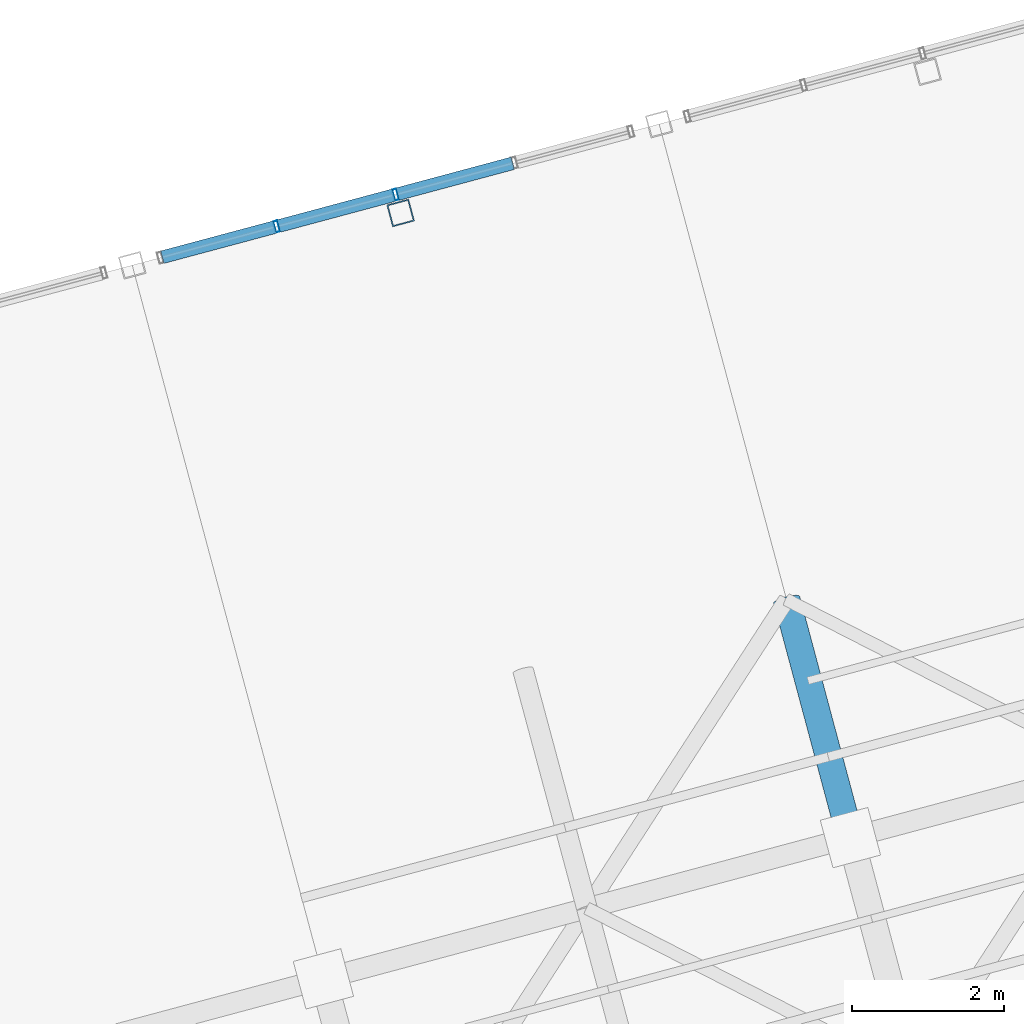
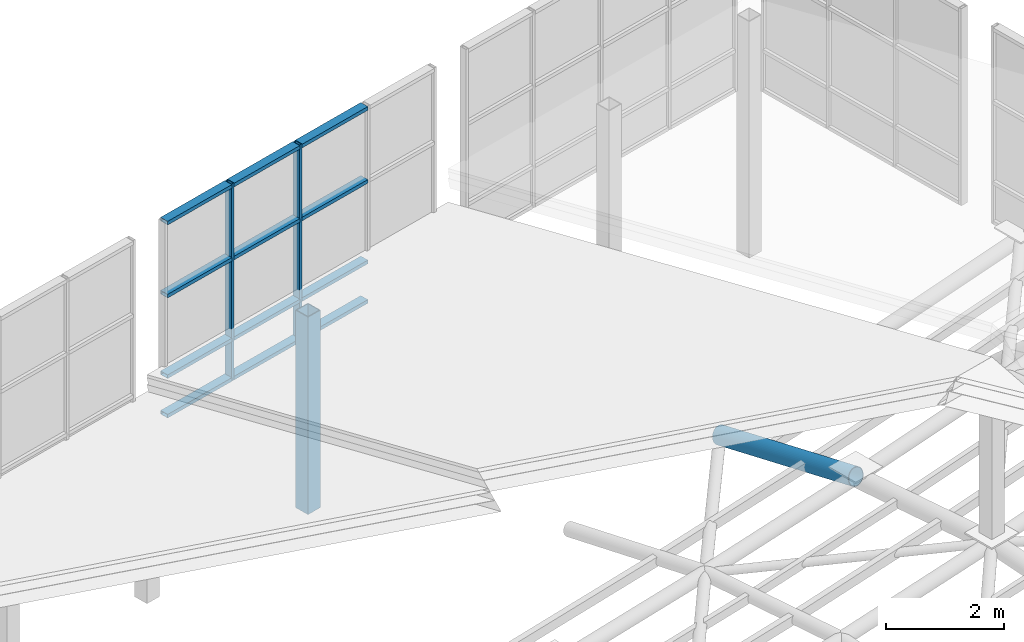
# One storey, part 18 of 28: 16 members, 1 element without a shape of its own.
"""IFC4 building model written with IfcOpenShell, lengths in metres."""

import ifcopenshell
import ifcopenshell.guid

model = None  # the IFC model being written
_history = None  # IfcOwnerHistory: only IFC2X3 demands one
_inside = {}  # id of a spatial element -> (the spatial element, [elements in it])
_under = {}  # id of a project, library or spatial element -> (it, [spatial elements below it])
_declared = {}  # id of a project -> (the project, [libraries it declares])
_typed = {}  # id of a type object -> (the type object, [elements of that type])
_made_of = {}  # id of a material, layer set ... -> (it, [elements and type objects made of it])


def new_model(schema):
    """Start an empty IFC model of exactly this schema.

    Asked for "IFC4X3", IfcOpenShell would pick the latest addendum, in which some entities
    have other attributes; the version numbers below select the first issue.
    IFC2X3 requires an IfcOwnerHistory on every rooted entity: one is made here for all.
    """
    global model, _history
    if schema == "IFC4X3":
        model = ifcopenshell.file(schema_version=(4, 3, 0, 0))
    else:
        model = ifcopenshell.file(schema=schema)
    _inside.clear()
    _under.clear()
    _declared.clear()
    _typed.clear()
    _made_of.clear()
    _history = None
    if model.schema == "IFC2X3":
        org = make("IfcOrganization", Name="unknown")
        user = make(
            "IfcPersonAndOrganization",
            ThePerson=make("IfcPerson", FamilyName="unknown"),
            TheOrganization=org,
        )
        app = make(
            "IfcApplication",
            ApplicationDeveloper=org,
            Version="unknown",
            ApplicationFullName="unknown",
            ApplicationIdentifier="unknown",
        )
        _history = make(
            "IfcOwnerHistory",
            OwningUser=user,
            OwningApplication=app,
            ChangeAction="ADDED",
            CreationDate=0,
        )
    return model


def make(cls, **values):
    """One entity of the class cls with the attributes given. An attribute that is None is left unset."""
    return model.create_entity(
        cls, **{name: value for name, value in values.items() if value is not None}
    )


def rooted(cls, **values):
    """An entity with a GlobalId (a new one), such as an element, a storey or a relation."""
    return make(cls, GlobalId=ifcopenshell.guid.new(), OwnerHistory=_history, **values)


def si_unit(unit_type, name, prefix=None):
    """IfcSIUnit, for example si_unit("LENGTHUNIT", "METRE", prefix="MILLI")."""
    return make("IfcSIUnit", UnitType=unit_type, Prefix=prefix, Name=name)


def assignment(units):
    """IfcUnitAssignment: the units of a project."""
    return None if units is None else make("IfcUnitAssignment", Units=units)


def point(xyz):
    """IfcCartesianPoint."""
    return None if xyz is None else make("IfcCartesianPoint", Coordinates=xyz)


def direction(xyz):
    """IfcDirection."""
    return None if xyz is None else make("IfcDirection", DirectionRatios=xyz)


def frame(location, z_axis=None, x_axis=None):
    """IfcAxis2Placement3D, a coordinate frame: its origin and axes. An axis left out is left unset."""
    return make(
        "IfcAxis2Placement3D",
        Location=point(location),
        Axis=direction(z_axis),
        RefDirection=direction(x_axis),
    )


def frame_2d(location, x_axis=None):
    """IfcAxis2Placement2D, a coordinate frame in the plane: its origin and x axis."""
    return make(
        "IfcAxis2Placement2D", Location=point(location), RefDirection=direction(x_axis)
    )


def origin():
    """The frame at (0, 0, 0) with its axes left unset."""
    return frame((0.0, 0.0, 0.0))


def origin_2d():
    """The frame at (0, 0) in the plane with its x axis left unset."""
    return frame_2d((0.0, 0.0))


def place(relative_to, where):
    """IfcLocalPlacement: puts the frame where relative to a parent placement (None: the world)."""
    return make(
        "IfcLocalPlacement", PlacementRelTo=relative_to, RelativePlacement=where
    )


def context(
    kind, dimensions, precision=None, world=None, true_north=None, identifier=None
):
    """IfcGeometricRepresentationContext, for example the 3D "Model" context."""
    return make(
        "IfcGeometricRepresentationContext",
        ContextIdentifier=identifier,
        ContextType=kind,
        CoordinateSpaceDimension=dimensions,
        Precision=precision,
        WorldCoordinateSystem=world,
        TrueNorth=true_north,
    )


def subcontext(parent, identifier, kind, view, scale=None):
    """IfcGeometricRepresentationSubContext, for example "Body" below "Model"."""
    return make(
        "IfcGeometricRepresentationSubContext",
        ContextIdentifier=identifier,
        ContextType=kind,
        ParentContext=parent,
        TargetScale=scale,
        TargetView=view,
    )


def project(units=None, contexts=None):
    """IfcProject with its units and contexts."""
    return rooted(
        "IfcProject",
        Name="project",
        RepresentationContexts=contexts,
        UnitsInContext=assignment(units),
    )


def spatial(cls, under=None, at=None, **own):
    """A site, building, storey or space (cls), placed at a placement, below another one or the project."""
    s = rooted(cls, ObjectPlacement=at, **own)
    if under is not None:
        _under.setdefault(under.id(), (under, []))[1].append(s)
    return s


def profile(cls, at=None, kind="AREA", **sizes):
    """A parametric profile (cls). Its sizes go by their IFC names, for example OverallWidth=200.0."""
    return make(cls, ProfileType=kind, Position=at, **sizes)


def hollow_rectangle(**sizes):
    """IfcRectangleHollowProfileDef."""
    return profile("IfcRectangleHollowProfileDef", **sizes)


def hollow_circle(**sizes):
    """IfcCircleHollowProfileDef."""
    return profile("IfcCircleHollowProfileDef", **sizes)


def extrude(swept, where, along, depth):
    """IfcExtrudedAreaSolid: the profile swept, set in the frame where, extruded along a direction by depth."""
    return make(
        "IfcExtrudedAreaSolid",
        SweptArea=swept,
        Position=where,
        ExtrudedDirection=direction(along),
        Depth=depth,
    )


def shape(context_of_items, identifier, shape_type, items):
    """IfcShapeRepresentation: the items that make up one representation, for example the "Body"."""
    return make(
        "IfcShapeRepresentation",
        ContextOfItems=context_of_items,
        RepresentationIdentifier=identifier,
        RepresentationType=shape_type,
        Items=items,
    )


def material(Name=None, Category=None):
    """IfcMaterial."""
    return make("IfcMaterial", Name=Name, Category=Category)


def layer(
    of_material, thickness, ventilated=None, Name=None, Category=None, Priority=None
):
    """IfcMaterialLayer: one layer of a wall or slab, of a material (None: an air gap)."""
    return make(
        "IfcMaterialLayer",
        Material=of_material,
        LayerThickness=thickness,
        IsVentilated=ventilated,
        Name=Name,
        Category=Category,
        Priority=Priority,
    )


def layer_set(layers, Name=None):
    """IfcMaterialLayerSet."""
    return make("IfcMaterialLayerSet", MaterialLayers=layers, LayerSetName=Name)


def material_profile(
    of_material, cross_section, Name=None, Category=None, Priority=None
):
    """IfcMaterialProfile: a cross section and its material."""
    return make(
        "IfcMaterialProfile",
        Name=Name,
        Material=of_material,
        Profile=cross_section,
        Priority=Priority,
        Category=Category,
    )


def profile_set(profiles, Name=None, composite=None):
    """IfcMaterialProfileSet."""
    return make(
        "IfcMaterialProfileSet",
        Name=Name,
        MaterialProfiles=profiles,
        CompositeProfile=composite,
    )


def made_of(thing, what):
    """Note that an element or type object is made of a material, layer set ...; save() writes the relation."""
    if what is not None:
        _made_of.setdefault(what.id(), (what, []))[1].append(thing)
    return thing


def type_object(cls, material=None, **own):
    """A type object (cls), such as IfcWallType, which elements share."""
    return made_of(rooted(cls, **own), material)


def element(
    cls,
    number,
    at=None,
    inside=None,
    cuts=None,
    type_object=None,
    material=None,
    context=None,
    identifier="Body",
    shape_type=None,
    held_by="IfcProductDefinitionShape",
    body=None,
    shapes=None,
    **own,
):
    """One element of the class cls, such as IfcWall. Its Tag is "e" and its number.

    at: its placement. inside: the storey or other place that contains it. cuts: it is an
    opening in that element (IfcRelVoidsElement). A single representation is given by context,
    identifier, shape_type and body (its items); several are given by shapes. held_by: the class
    of the entity that holds the representations. save() writes the other relations.
    """
    e = rooted(cls, Tag="e%d" % number, ObjectPlacement=at, **own)
    if body is not None:
        shapes = [shape(context, identifier, shape_type, body)]
    if shapes is not None:
        e.Representation = make(held_by, Representations=shapes)
    if inside is not None:
        _inside.setdefault(inside.id(), (inside, []))[1].append(e)
    if cuts is not None:
        rooted(
            "IfcRelVoidsElement", RelatingBuildingElement=cuts, RelatedOpeningElement=e
        )
    if type_object is not None:
        _typed.setdefault(type_object.id(), (type_object, []))[1].append(e)
    return made_of(e, material)


def aggregate(whole, parts):
    """IfcRelAggregates: a whole, such as a stair, and the parts it consists of."""
    return rooted("IfcRelAggregates", RelatingObject=whole, RelatedObjects=parts)


def save(model, path):
    """Write the relations noted so far, then the file.

    IfcRelAggregates (storeys below a building ...), IfcRelContainedInSpatialStructure (elements
    in a storey), IfcRelDefinesByType, IfcRelAssociatesMaterial and IfcRelDeclares: one each for
    every whole, place, type object, material and project.
    """
    for whole, parts in _under.values():
        aggregate(whole, parts)
    for where, things in _inside.values():
        rooted(
            "IfcRelContainedInSpatialStructure",
            RelatedElements=things,
            RelatingStructure=where,
        )
    for kind, things in _typed.values():
        rooted("IfcRelDefinesByType", RelatedObjects=things, RelatingType=kind)
    for what, things in _made_of.values():
        rooted("IfcRelAssociatesMaterial", RelatedObjects=things, RelatingMaterial=what)
    for by, libraries in _declared.values():
        rooted("IfcRelDeclares", RelatingContext=by, RelatedDefinitions=libraries)
    model.write(path)


model = new_model("IFC4")

# Units and contexts
model_context = context("Model", 3, precision=1e-05, world=origin(), true_north=direction((0.0, 1.0)))
body_context = subcontext(model_context, "Body", "Model", "MODEL_VIEW")
ifc_project = project(units=[si_unit("LENGTHUNIT", "METRE"), si_unit("AREAUNIT", "SQUARE_METRE"), si_unit("VOLUMEUNIT", "CUBIC_METRE"), si_unit("PLANEANGLEUNIT", "RADIAN"), si_unit("MASSUNIT", "GRAM", prefix="KILO")], contexts=[model_context])

# Site, building, storey
site_placement = place(None, origin())
site = spatial("IfcSite", under=ifc_project, at=site_placement, CompositionType="ELEMENT")
building_placement = place(site_placement, origin())
building = spatial("IfcBuilding", under=site, at=building_placement, Name="Ventoquebrada Cableway Terminal", CompositionType="ELEMENT")
storey_placement = place(building_placement, frame((0.0, 0.0, 23.39990234375)))
storey = spatial("IfcBuildingStorey", under=building, at=storey_placement, Name="RF", CompositionType="ELEMENT", Elevation=23.39990234375)

# Member
ifc_material_1 = material(Name="Steel ASTM A500 Grade C", Category="steel")
ifc_material_profile_1 = material_profile(ifc_material_1, hollow_circle(Radius=0.177734375, WallThickness=0.012451171875, at=origin_2d()), Name="CHS355.6X12.5")
ifc_profile_set_1 = profile_set([ifc_material_profile_1], Name="Steel ASTM A500 Grade C")
member_type_1 = type_object("IfcMemberType", Name="CHD-GS01", PredefinedType="CHORD", material=ifc_profile_set_1)
member_1_placement = place(storey_placement, frame((75.591064453125, 92.93505859375, 0.1591796875), z_axis=(-0.252237781762, 0.941370438351, -0.224048653757), x_axis=(-0.965926253902, -0.258817449225, 0.0)))
element("IfcMember", 1, at=member_1_placement, inside=storey, type_object=member_type_1, Name="Saddle gridshell arch chord GCH-0084", PredefinedType="CHORD", context=body_context, shape_type="SweptSolid", body=[
    extrude(hollow_circle(Radius=0.177734375, WallThickness=0.012451171875, at=origin_2d()), origin(), (0.0, 0.0, 1.0), 3.33447265625),
])

# Curtain wall, members
ifc_material_2 = material(Name="Anodized thermally-broken aluminium", Category="aluminium")
ifc_layer = layer(ifc_material_2, 0.159912109375)
ifc_layer_set = layer_set([ifc_layer], Name="Anodized thermally-broken aluminium")
curtain_wall_type = type_object("IfcCurtainWallType", Name="CW-T48", PredefinedType="USERDEFINED", material=ifc_layer_set)
curtain_wall_placement = place(storey_placement, origin())
curtain_wall = element("IfcCurtainWall", 2, at=curtain_wall_placement, inside=storey, type_object=curtain_wall_type, Name="Unitised glazed curtain wall CW-159", ObjectType="UNITISED CURTAIN WALL", PredefinedType="USERDEFINED")
ifc_material_profile_2 = material_profile(ifc_material_2, hollow_rectangle(XDim=0.06005859375, YDim=0.14990234375, WallThickness=0.00390625, at=origin_2d()), Name="CW-MUL-60X150")
ifc_profile_set_2 = profile_set([ifc_material_profile_2], Name="Anodized thermally-broken aluminium")
member_type_2 = type_object("IfcMemberType", Name="CWM-03", PredefinedType="MULLION", material=ifc_profile_set_2)
member_2_placement = place(storey_placement, frame((69.590087890625, 101.4208984375, -0.06298828125), z_axis=(0.0, 0.0, 1.0), x_axis=(-0.965894198369, -0.258937053273, 0.0)))
member_2 = element("IfcMember", 3, at=member_2_placement, type_object=member_type_2, Name="Curtain wall mullion FML-0774", PredefinedType="MULLION", context=body_context, shape_type="SweptSolid", body=[
    extrude(hollow_rectangle(XDim=0.06005859375, YDim=0.14990234375, WallThickness=0.00390625, at=origin_2d()), origin(), (0.0, 0.0, 1.0), 4.068115234375),
])
member_3_placement = place(storey_placement, frame((68.02001953125, 101.0, -0.06298828125), z_axis=(0.0, 0.0, 1.0), x_axis=(-0.965894198369, -0.258937053273, 0.0)))
member_3 = element("IfcMember", 4, at=member_3_placement, type_object=member_type_2, Name="Curtain wall mullion FML-0775", PredefinedType="MULLION", context=body_context, shape_type="SweptSolid", body=[
    extrude(hollow_rectangle(XDim=0.06005859375, YDim=0.14990234375, WallThickness=0.00390625, at=origin_2d()), origin(), (0.0, 0.0, 1.0), 4.068115234375),
])
ifc_material_profile_3 = material_profile(ifc_material_2, hollow_rectangle(XDim=0.074951171875, YDim=0.169921875, WallThickness=0.00439453125, at=origin_2d()), Name="CW-TRN-75X170")
ifc_profile_set_3 = profile_set([ifc_material_profile_3], Name="Anodized thermally-broken aluminium")
member_type_3 = type_object("IfcMemberType", Name="CWT-03", PredefinedType="USERDEFINED", material=ifc_profile_set_3)
member_4_placement = place(storey_placement, frame((71.135009765625, 101.8349609375, -0.02001953125), z_axis=(-0.965860816082, -0.259061544731, 0.0), x_axis=(0.0, 0.0, 1.0)))
member_4 = element("IfcMember", 5, at=member_4_placement, type_object=member_type_3, Name="Curtain wall transom FTR-2256", ObjectType="TRANSOM", PredefinedType="USERDEFINED", context=body_context, shape_type="SweptSolid", body=[
    extrude(hollow_rectangle(XDim=0.074951171875, YDim=0.169921875, WallThickness=0.00439453125, at=origin_2d()), origin(), (0.0, 0.0, 1.0), 1.57470703125),
])
member_5_placement = place(storey_placement, frame((71.135009765625, 101.8349609375, 0.795166015625), z_axis=(-0.965860816082, -0.259061544731, 0.0), x_axis=(0.0, 0.0, 1.0)))
member_5 = element("IfcMember", 6, at=member_5_placement, type_object=member_type_3, Name="Curtain wall transom FTR-2257", ObjectType="TRANSOM", PredefinedType="USERDEFINED", context=body_context, shape_type="SweptSolid", body=[
    extrude(hollow_rectangle(XDim=0.074951171875, YDim=0.169921875, WallThickness=0.00439453125, at=origin_2d()), origin(), (0.0, 0.0, 1.0), 1.57470703125),
])
member_6_placement = place(storey_placement, frame((71.135009765625, 101.8349609375, 2.458984375), z_axis=(-0.965860816082, -0.259061544731, 0.0), x_axis=(0.0, 0.0, 1.0)))
member_6 = element("IfcMember", 7, at=member_6_placement, type_object=member_type_3, Name="Curtain wall transom FTR-2258", ObjectType="TRANSOM", PredefinedType="USERDEFINED", context=body_context, shape_type="SweptSolid", body=[
    extrude(hollow_rectangle(XDim=0.074951171875, YDim=0.169921875, WallThickness=0.00439453125, at=origin_2d()), origin(), (0.0, 0.0, 1.0), 1.57470703125),
])
member_7_placement = place(storey_placement, frame((71.135009765625, 101.8349609375, 3.965087890625), z_axis=(-0.965860816082, -0.259061544731, 0.0), x_axis=(0.0, 0.0, 1.0)))
member_7 = element("IfcMember", 8, at=member_7_placement, type_object=member_type_3, Name="Curtain wall transom FTR-2259", ObjectType="TRANSOM", PredefinedType="USERDEFINED", context=body_context, shape_type="SweptSolid", body=[
    extrude(hollow_rectangle(XDim=0.074951171875, YDim=0.169921875, WallThickness=0.00439453125, at=origin_2d()), origin(), (0.0, 0.0, 1.0), 1.57470703125),
])
member_8_placement = place(storey_placement, frame((69.56591796875, 101.4140625, -0.02001953125), z_axis=(-0.965860816082, -0.259061544731, 0.0), x_axis=(0.0, 0.0, 1.0)))
member_8 = element("IfcMember", 9, at=member_8_placement, type_object=member_type_3, Name="Curtain wall transom FTR-2260", ObjectType="TRANSOM", PredefinedType="USERDEFINED", context=body_context, shape_type="SweptSolid", body=[
    extrude(hollow_rectangle(XDim=0.074951171875, YDim=0.169921875, WallThickness=0.00439453125, at=origin_2d()), origin(), (0.0, 0.0, 1.0), 1.57470703125),
])
member_9_placement = place(storey_placement, frame((69.56591796875, 101.4140625, 0.795166015625), z_axis=(-0.965860816082, -0.259061544731, 0.0), x_axis=(0.0, 0.0, 1.0)))
member_9 = element("IfcMember", 10, at=member_9_placement, type_object=member_type_3, Name="Curtain wall transom FTR-2261", ObjectType="TRANSOM", PredefinedType="USERDEFINED", context=body_context, shape_type="SweptSolid", body=[
    extrude(hollow_rectangle(XDim=0.074951171875, YDim=0.169921875, WallThickness=0.00439453125, at=origin_2d()), origin(), (0.0, 0.0, 1.0), 1.57470703125),
])
member_10_placement = place(storey_placement, frame((69.56591796875, 101.4140625, 2.458984375), z_axis=(-0.965860816082, -0.259061544731, 0.0), x_axis=(0.0, 0.0, 1.0)))
member_10 = element("IfcMember", 11, at=member_10_placement, type_object=member_type_3, Name="Curtain wall transom FTR-2262", ObjectType="TRANSOM", PredefinedType="USERDEFINED", context=body_context, shape_type="SweptSolid", body=[
    extrude(hollow_rectangle(XDim=0.074951171875, YDim=0.169921875, WallThickness=0.00439453125, at=origin_2d()), origin(), (0.0, 0.0, 1.0), 1.57470703125),
])
member_11_placement = place(storey_placement, frame((69.56591796875, 101.4140625, 3.965087890625), z_axis=(-0.965860816082, -0.259061544731, 0.0), x_axis=(0.0, 0.0, 1.0)))
member_11 = element("IfcMember", 12, at=member_11_placement, type_object=member_type_3, Name="Curtain wall transom FTR-2263", ObjectType="TRANSOM", PredefinedType="USERDEFINED", context=body_context, shape_type="SweptSolid", body=[
    extrude(hollow_rectangle(XDim=0.074951171875, YDim=0.169921875, WallThickness=0.00439453125, at=origin_2d()), origin(), (0.0, 0.0, 1.0), 1.57470703125),
])
member_12_placement = place(storey_placement, frame((67.99609375, 100.992919921875, -0.02001953125), z_axis=(-0.966008188998, -0.258511467422, 0.0), x_axis=(0.0, 0.0, 1.0)))
member_12 = element("IfcMember", 13, at=member_12_placement, type_object=member_type_3, Name="Curtain wall transom FTR-2264", ObjectType="TRANSOM", PredefinedType="USERDEFINED", context=body_context, shape_type="SweptSolid", body=[
    extrude(hollow_rectangle(XDim=0.074951171875, YDim=0.169921875, WallThickness=0.00439453125, at=origin_2d()), origin(), (0.0, 0.0, 1.0), 1.539306640625),
])
member_13_placement = place(storey_placement, frame((67.99609375, 100.992919921875, 0.795166015625), z_axis=(-0.966008188998, -0.258511467422, 0.0), x_axis=(0.0, 0.0, 1.0)))
member_13 = element("IfcMember", 14, at=member_13_placement, type_object=member_type_3, Name="Curtain wall transom FTR-2265", ObjectType="TRANSOM", PredefinedType="USERDEFINED", context=body_context, shape_type="SweptSolid", body=[
    extrude(hollow_rectangle(XDim=0.074951171875, YDim=0.169921875, WallThickness=0.00439453125, at=origin_2d()), origin(), (0.0, 0.0, 1.0), 1.539306640625),
])
member_14_placement = place(storey_placement, frame((67.99609375, 100.992919921875, 2.458984375), z_axis=(-0.966008188998, -0.258511467422, 0.0), x_axis=(0.0, 0.0, 1.0)))
member_14 = element("IfcMember", 15, at=member_14_placement, type_object=member_type_3, Name="Curtain wall transom FTR-2266", ObjectType="TRANSOM", PredefinedType="USERDEFINED", context=body_context, shape_type="SweptSolid", body=[
    extrude(hollow_rectangle(XDim=0.074951171875, YDim=0.169921875, WallThickness=0.00439453125, at=origin_2d()), origin(), (0.0, 0.0, 1.0), 1.539306640625),
])
member_15_placement = place(storey_placement, frame((67.99609375, 100.992919921875, 3.965087890625), z_axis=(-0.966008188998, -0.258511467422, 0.0), x_axis=(0.0, 0.0, 1.0)))
member_15 = element("IfcMember", 16, at=member_15_placement, type_object=member_type_3, Name="Curtain wall transom FTR-2267", ObjectType="TRANSOM", PredefinedType="USERDEFINED", context=body_context, shape_type="SweptSolid", body=[
    extrude(hollow_rectangle(XDim=0.074951171875, YDim=0.169921875, WallThickness=0.00439453125, at=origin_2d()), origin(), (0.0, 0.0, 1.0), 1.539306640625),
])
aggregate(curtain_wall, [member_2, member_3, member_4, member_5, member_6, member_7, member_8, member_9, member_10, member_11, member_12, member_13, member_14, member_15])

# Member
ifc_material_profile_4 = material_profile(ifc_material_1, hollow_rectangle(XDim=0.300048828125, YDim=0.300048828125, WallThickness=0.01611328125, at=origin_2d()), Name="HSS300X300X16")
ifc_profile_set_4 = profile_set([ifc_material_profile_4], Name="Steel ASTM A500 Grade C")
member_type_4 = type_object("IfcMemberType", Name="PST-GS01", PredefinedType="STRUT", material=ifc_profile_set_4)
member_16_placement = place(storey_placement, frame((69.655029296875, 101.178955078125, -3.39990234375), z_axis=(0.0, 0.0, 1.0), x_axis=(0.965925826289, 0.258819045103, 0.0)))
element("IfcMember", 17, at=member_16_placement, inside=storey, type_object=member_type_4, Name="Gridshell eaves support post PS-0459", PredefinedType="STRUT", context=body_context, shape_type="SweptSolid", body=[
    extrude(hollow_rectangle(XDim=0.300048828125, YDim=0.300048828125, WallThickness=0.01611328125, at=origin_2d()), origin(), (0.0, 0.0, 1.0), 4.075927734375),
])

save(model, "model.ifc")
